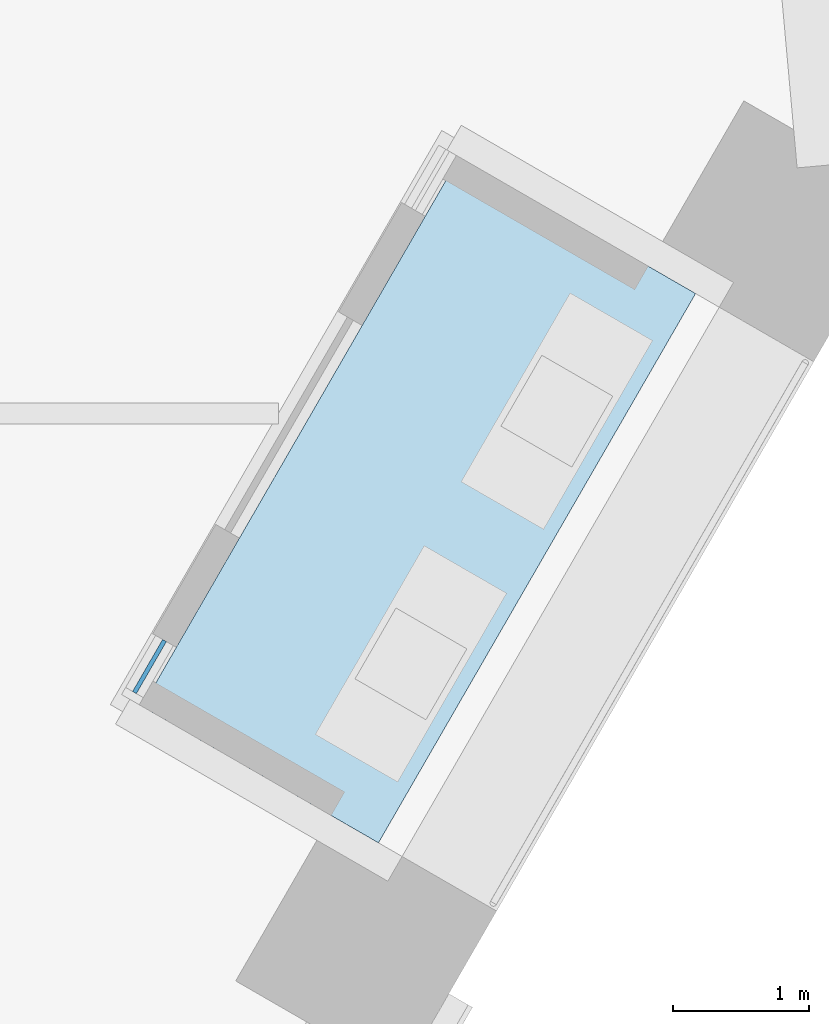
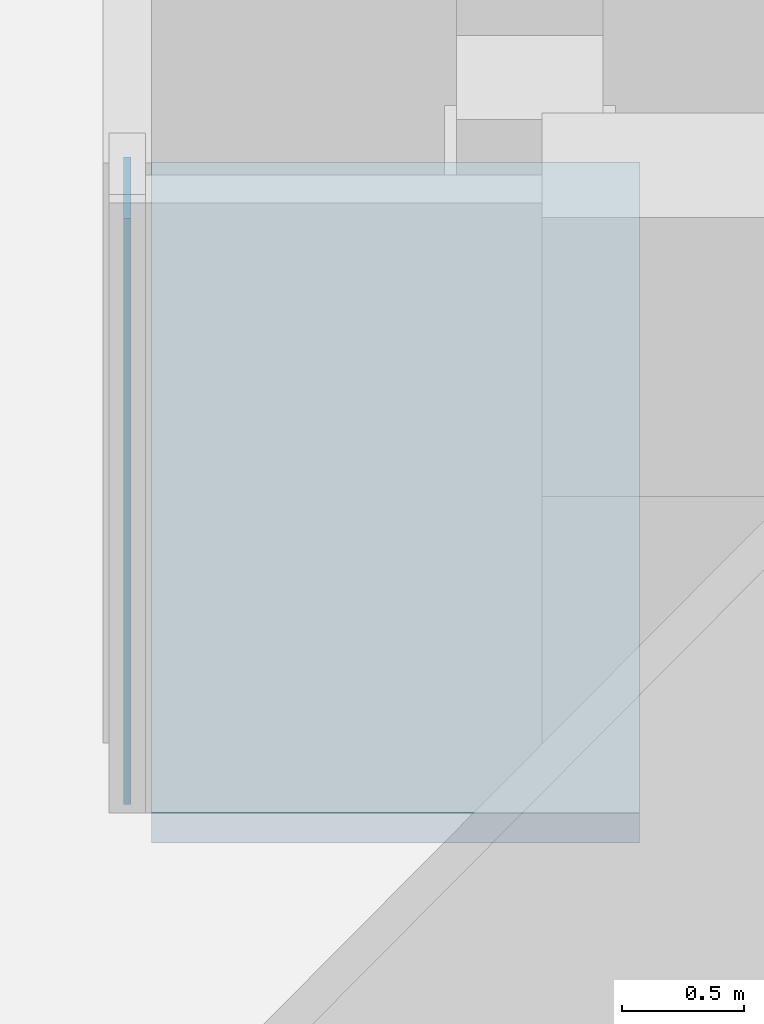
# One storey, part 15 of 26: 1 plate, 1 slab, 1 element without a shape of its own.
"""IFC4 building model written with IfcOpenShell, lengths in metres."""

from ifc_helpers import new_model, si_unit, direction, frame, origin, origin_2d, place, context, subcontext, project, spatial, polyline, rectangle, outline, extrude, material, layer, layer_set, type_object, element, aggregate, save


model = new_model("IFC4")

# Units and contexts
model_context = context("Model", 3, precision=1e-05, world=origin(), true_north=direction((0.0, 1.0)))
body_context = subcontext(model_context, "Body", "Model", "MODEL_VIEW")
ifc_project = project(units=[si_unit("LENGTHUNIT", "METRE"), si_unit("AREAUNIT", "SQUARE_METRE"), si_unit("VOLUMEUNIT", "CUBIC_METRE"), si_unit("PLANEANGLEUNIT", "RADIAN"), si_unit("MASSUNIT", "GRAM", prefix="KILO")], contexts=[model_context])

# Site, building, storey
site_placement = place(None, origin())
site = spatial("IfcSite", under=ifc_project, at=site_placement, CompositionType="ELEMENT")
building_placement = place(site_placement, origin())
building = spatial("IfcBuilding", under=site, at=building_placement, Name="Isthmus Gate Tower", CompositionType="ELEMENT")
storey_placement = place(building_placement, frame((0.0, 0.0, 144.39990234375)))
storey = spatial("IfcBuildingStorey", under=building, at=storey_placement, Name="L35", CompositionType="ELEMENT", Elevation=144.39990234375)

# Curtain wall, plate
ifc_material_1 = material(Name="Aluminium, pale champagne anodised", Category="aluminium")
ifc_layer_1 = layer(ifc_material_1, 0.14990234375)
ifc_layer_set_1 = layer_set([ifc_layer_1], Name="CW-6 LOGGIA BACK WALL GLAZING 150 DEEP")
curtain_wall_type = type_object("IfcCurtainWallType", Name="CW-6 LOGGIA BACK WALL GLAZING 150 DEEP", PredefinedType="NOTDEFINED", material=ifc_layer_set_1)
curtain_wall_placement = place(storey_placement, origin())
curtain_wall = element("IfcCurtainWall", 1, at=curtain_wall_placement, inside=storey, type_object=curtain_wall_type, Name="CW-6 SE L35", PredefinedType="NOTDEFINED")
ifc_material_2 = material(Name="Laminated low-iron glass, clear", Category="glass")
ifc_layer_2 = layer(ifc_material_2, 0.031982421875)
ifc_layer_set_2 = layer_set([ifc_layer_2], Name="CW-6 CLEAR GLASS LITE 32")
plate_type = type_object("IfcPlateType", Name="CW-6 CLEAR GLASS LITE 32", PredefinedType="CURTAIN_PANEL", material=ifc_layer_set_2)
plate_placement = place(storey_placement, frame((27.659912109375, -1.8916015625, 0.0), z_axis=(0.0, 0.0, 1.0), x_axis=(0.5, 0.866025403784, 0.0)))
plate = element("IfcPlate", 2, at=plate_placement, type_object=plate_type, Name="CW-6 glass lite", PredefinedType="CURTAIN_PANEL", context=body_context, shape_type="SweptSolid", body=[
    extrude(rectangle(XDim=0.43994140625, YDim=0.031982421875, at=origin_2d()), origin(), (0.0, 0.0, 1.0), 2.929931640625),
])
aggregate(curtain_wall, [plate])

# Slab
ifc_material_3 = material(Name="Concrete f'c 50 MPa", Category="concrete")
ifc_layer_3 = layer(ifc_material_3, 0.14990234375)
ifc_layer_set_3 = layer_set([ifc_layer_3], Name="LOGGIA FLOOR SLAB 150")
slab_type = type_object("IfcSlabType", Name="LOGGIA FLOOR SLAB 150", PredefinedType="FLOOR", material=ifc_layer_set_3)
slab_placement = place(storey_placement, frame((0.0, 0.0, -0.14990234375)))
element("IfcSlab", 3, at=slab_placement, inside=storey, type_object=slab_type, Name="LOGGIA FLOOR", PredefinedType="FLOOR", context=body_context, shape_type="SweptSolid", body=[
    extrude(outline(polyline([(29.338623046875, -3.18408203125), (31.66357421875, 0.843017578125), (29.931640625, 1.843017578125), (27.6064453125, -2.18408203125), (29.338623046875, -3.18408203125)])), origin(), (0.0, 0.0, 1.0), 0.14990234375),
])

save(model, "model.ifc")
